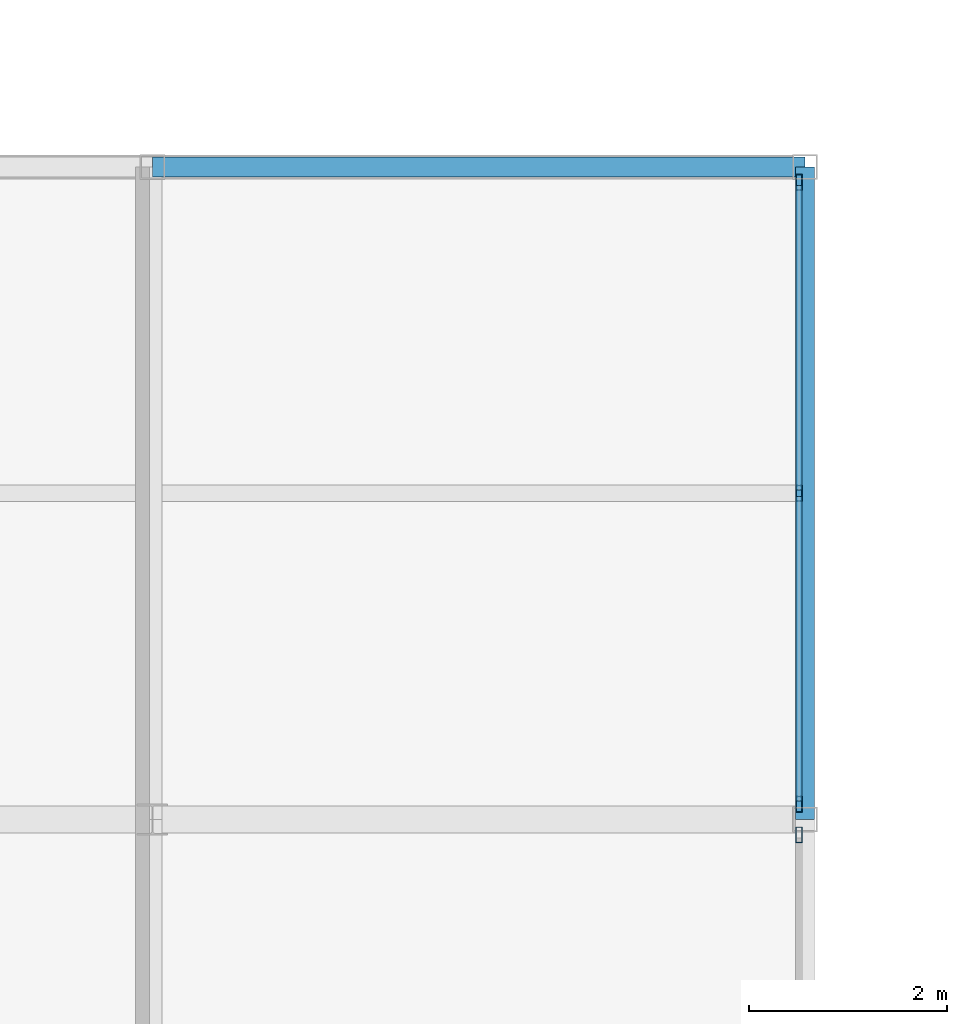
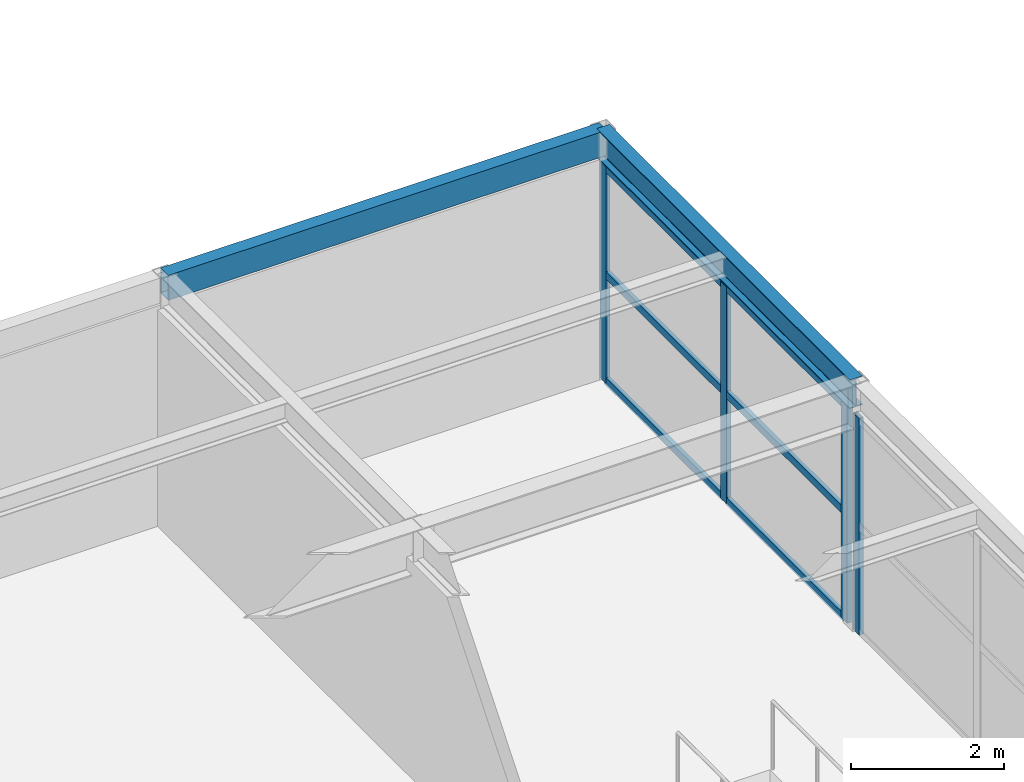
# One storey, part 82 of 157: 10 members, 2 beams, 2 elements without a shape of their own.
"""IFC4 building model written with IfcOpenShell, lengths in metres."""

from ifc_helpers import new_model, si_unit, direction, frame, origin, origin_2d, place, context, subcontext, project, spatial, hollow_rectangle, i_section, extrude, material, material_profile, profile_set, type_object, element, aggregate, save


model = new_model("IFC4")

# Units and contexts
model_context = context("Model", 3, precision=1e-05, world=origin(), true_north=direction((0.0, 1.0)))
body_context = subcontext(model_context, "Body", "Model", "MODEL_VIEW")
ifc_project = project(units=[si_unit("LENGTHUNIT", "METRE"), si_unit("AREAUNIT", "SQUARE_METRE"), si_unit("VOLUMEUNIT", "CUBIC_METRE"), si_unit("PLANEANGLEUNIT", "RADIAN"), si_unit("MASSUNIT", "GRAM", prefix="KILO")], contexts=[model_context])

# Site, building, storey
site_placement = place(None, origin())
site = spatial("IfcSite", under=ifc_project, at=site_placement, CompositionType="ELEMENT")
building_placement = place(site_placement, origin())
building = spatial("IfcBuilding", under=site, at=building_placement, Name="Karori Crest Natural Sciences Institute", CompositionType="ELEMENT")
storey_placement = place(building_placement, frame((0.0, 0.0, 13.300048828125)))
storey = spatial("IfcBuildingStorey", under=building, at=storey_placement, Name="L03", CompositionType="ELEMENT", Elevation=13.300048828125)

# Beams
ifc_material_1 = material(Name="Structural steel AS/NZS 3679.1 Grade 350", Category="steel")
ifc_material_profile_1 = material_profile(ifc_material_1, i_section(OverallWidth=0.19091796875, OverallDepth=0.4599609375, WebThickness=0.010009765625, FlangeThickness=0.01611328125, FilletRadius=0.010986328125, at=origin_2d()), Name="460UB82.1")
ifc_profile_set_1 = profile_set([ifc_material_profile_1], Name="Structural steel AS/NZS 3679.1 Grade 350")
beam_type_1 = type_object("IfcBeamType", Name="BT-06-EL", PredefinedType="BEAM", material=ifc_profile_set_1)
beam_1_placement = place(storey_placement, frame((27.199951171875, 66.800048828125, 3.68994140625), z_axis=(0.0, 1.0, 0.0), x_axis=(-1.0, 0.0, 0.0)))
element("IfcBeam", 1, at=beam_1_placement, inside=storey, type_object=beam_type_1, Name="Beam B-1188", PredefinedType="BEAM", context=body_context, shape_type="SweptSolid", body=[
    extrude(i_section(OverallWidth=0.19091796875, OverallDepth=0.4599609375, WebThickness=0.010009765625, FlangeThickness=0.01611328125, FilletRadius=0.010986328125, at=origin_2d()), origin(), (0.0, 0.0, 1.0), 6.599853515625),
])
ifc_material_2 = material(Name="Hollow structural steel AS/NZS 1163 Grade C350", Category="steel")
ifc_material_profile_2 = material_profile(ifc_material_2, hollow_rectangle(XDim=0.199951171875, YDim=0.39990234375, WallThickness=0.012451171875, at=origin_2d()), Name="RHS400x200x12.5")
ifc_profile_set_2 = profile_set([ifc_material_profile_2], Name="Hollow structural steel AS/NZS 1163 Grade C350")
beam_type_2 = type_object("IfcBeamType", Name="BT-14", PredefinedType="SPANDREL", material=ifc_profile_set_2)
beam_2_placement = place(storey_placement, frame((20.60009765625, 73.39990234375, 3.719970703125), z_axis=(1.0, 0.0, 0.0), x_axis=(0.0, 1.0, 0.0)))
element("IfcBeam", 2, at=beam_2_placement, inside=storey, type_object=beam_type_2, Name="Beam B-1160", PredefinedType="SPANDREL", context=body_context, shape_type="SweptSolid", body=[
    extrude(hollow_rectangle(XDim=0.199951171875, YDim=0.39990234375, WallThickness=0.012451171875, at=origin_2d()), origin(), (0.0, 0.0, 1.0), 6.599853515625),
])

# Curtain wall, member
ifc_material_3 = material(Name="Anodised architectural aluminium 6063-T6", Category="aluminium")
curtain_wall_type = type_object("IfcCurtainWallType", Name="CWT-18", PredefinedType="NOTDEFINED", material=ifc_material_3)
curtain_wall_1_placement = place(storey_placement, origin())
curtain_wall_1 = element("IfcCurtainWall", 3, at=curtain_wall_1_placement, inside=storey, type_object=curtain_wall_type, Name="Curtain wall CW-0284", PredefinedType="NOTDEFINED")
ifc_material_profile_3 = material_profile(ifc_material_3, hollow_rectangle(XDim=0.06494140625, YDim=0.159912109375, WallThickness=0.00390625, at=origin_2d()), Name="CWM160x65x4")
ifc_profile_set_3 = profile_set([ifc_material_profile_3], Name="Anodised architectural aluminium 6063-T6")
member_type_1 = type_object("IfcMemberType", Name="CWM-01", PredefinedType="MULLION", material=ifc_profile_set_3)
member_1_placement = place(storey_placement, frame((27.139892578125, 66.64453125, 0.0), z_axis=(0.0, 0.0, 1.0), x_axis=(1.0, 0.0, 0.0)))
member_1 = element("IfcMember", 4, at=member_1_placement, type_object=member_type_1, Name="CW-0284 mullion 1", PredefinedType="MULLION", context=body_context, shape_type="SweptSolid", body=[
    extrude(hollow_rectangle(XDim=0.06494140625, YDim=0.159912109375, WallThickness=0.00390625, at=origin_2d()), origin(), (0.0, 0.0, 1.0), 3.445068359375),
])
aggregate(curtain_wall_1, [member_1])

# Curtain wall, members
curtain_wall_2_placement = place(storey_placement, origin())
curtain_wall_2 = element("IfcCurtainWall", 5, at=curtain_wall_2_placement, inside=storey, type_object=curtain_wall_type, Name="Curtain wall CW-0285", PredefinedType="NOTDEFINED")
member_2_placement = place(storey_placement, frame((27.139892578125, 73.244384765625, 0.0), z_axis=(0.0, 0.0, 1.0), x_axis=(1.0, 0.0, 0.0)))
member_2 = element("IfcMember", 6, at=member_2_placement, type_object=member_type_1, Name="CW-0285 mullion 1", PredefinedType="MULLION", context=body_context, shape_type="SweptSolid", body=[
    extrude(hollow_rectangle(XDim=0.06494140625, YDim=0.159912109375, WallThickness=0.00390625, at=origin_2d()), origin(), (0.0, 0.0, 1.0), 3.445068359375),
])
member_3_placement = place(storey_placement, frame((27.139892578125, 70.10009765625, 0.0), z_axis=(0.0, 0.0, 1.0), x_axis=(1.0, 0.0, 0.0)))
member_3 = element("IfcMember", 7, at=member_3_placement, type_object=member_type_1, Name="CW-0285 mullion 2", PredefinedType="MULLION", context=body_context, shape_type="SweptSolid", body=[
    extrude(hollow_rectangle(XDim=0.06494140625, YDim=0.159912109375, WallThickness=0.00390625, at=origin_2d()), origin(), (0.0, 0.0, 1.0), 3.445068359375),
])
member_4_placement = place(storey_placement, frame((27.139892578125, 66.95556640625, 0.0), z_axis=(0.0, 0.0, 1.0), x_axis=(1.0, 0.0, 0.0)))
member_4 = element("IfcMember", 8, at=member_4_placement, type_object=member_type_1, Name="CW-0285 mullion 3", PredefinedType="MULLION", context=body_context, shape_type="SweptSolid", body=[
    extrude(hollow_rectangle(XDim=0.06494140625, YDim=0.159912109375, WallThickness=0.00390625, at=origin_2d()), origin(), (0.0, 0.0, 1.0), 3.445068359375),
])
ifc_material_profile_4 = material_profile(ifc_material_3, hollow_rectangle(XDim=0.06005859375, YDim=0.1201171875, WallThickness=0.00390625, at=origin_2d()), Name="CWT120x60x4")
ifc_profile_set_4 = profile_set([ifc_material_profile_4], Name="Anodised architectural aluminium 6063-T6")
member_type_2 = type_object("IfcMemberType", Name="CWT-TR1", PredefinedType="USERDEFINED", material=ifc_profile_set_4)
member_5_placement = place(storey_placement, frame((27.139892578125, 73.2119140625, 0.030029296875), z_axis=(0.0, -1.0, 0.0), x_axis=(1.0, 0.0, 0.0)))
member_5 = element("IfcMember", 9, at=member_5_placement, type_object=member_type_2, Name="CW-0285 transom 1.1", ObjectType="TRANSOM", PredefinedType="USERDEFINED", context=body_context, shape_type="SweptSolid", body=[
    extrude(hollow_rectangle(XDim=0.06005859375, YDim=0.1201171875, WallThickness=0.00390625, at=origin_2d()), origin(), (0.0, 0.0, 1.0), 3.079345703125),
])
member_6_placement = place(storey_placement, frame((27.139892578125, 73.2119140625, 1.722412109375), z_axis=(0.0, -1.0, 0.0), x_axis=(1.0, 0.0, 0.0)))
member_6 = element("IfcMember", 10, at=member_6_placement, type_object=member_type_2, Name="CW-0285 transom 1.2", ObjectType="TRANSOM", PredefinedType="USERDEFINED", context=body_context, shape_type="SweptSolid", body=[
    extrude(hollow_rectangle(XDim=0.06005859375, YDim=0.1201171875, WallThickness=0.00390625, at=origin_2d()), origin(), (0.0, 0.0, 1.0), 3.079345703125),
])
member_7_placement = place(storey_placement, frame((27.139892578125, 73.2119140625, 3.4150390625), z_axis=(0.0, -1.0, 0.0), x_axis=(1.0, 0.0, 0.0)))
member_7 = element("IfcMember", 11, at=member_7_placement, type_object=member_type_2, Name="CW-0285 transom 1.3", ObjectType="TRANSOM", PredefinedType="USERDEFINED", context=body_context, shape_type="SweptSolid", body=[
    extrude(hollow_rectangle(XDim=0.06005859375, YDim=0.1201171875, WallThickness=0.00390625, at=origin_2d()), origin(), (0.0, 0.0, 1.0), 3.079345703125),
])
member_8_placement = place(storey_placement, frame((27.139892578125, 70.0673828125, 0.030029296875), z_axis=(0.0, -1.0, 0.0), x_axis=(1.0, 0.0, 0.0)))
member_8 = element("IfcMember", 12, at=member_8_placement, type_object=member_type_2, Name="CW-0285 transom 2.1", ObjectType="TRANSOM", PredefinedType="USERDEFINED", context=body_context, shape_type="SweptSolid", body=[
    extrude(hollow_rectangle(XDim=0.06005859375, YDim=0.1201171875, WallThickness=0.00390625, at=origin_2d()), origin(), (0.0, 0.0, 1.0), 3.079345703125),
])
member_9_placement = place(storey_placement, frame((27.139892578125, 70.0673828125, 1.722412109375), z_axis=(0.0, -1.0, 0.0), x_axis=(1.0, 0.0, 0.0)))
member_9 = element("IfcMember", 13, at=member_9_placement, type_object=member_type_2, Name="CW-0285 transom 2.2", ObjectType="TRANSOM", PredefinedType="USERDEFINED", context=body_context, shape_type="SweptSolid", body=[
    extrude(hollow_rectangle(XDim=0.06005859375, YDim=0.1201171875, WallThickness=0.00390625, at=origin_2d()), origin(), (0.0, 0.0, 1.0), 3.079345703125),
])
member_10_placement = place(storey_placement, frame((27.139892578125, 70.0673828125, 3.4150390625), z_axis=(0.0, -1.0, 0.0), x_axis=(1.0, 0.0, 0.0)))
member_10 = element("IfcMember", 14, at=member_10_placement, type_object=member_type_2, Name="CW-0285 transom 2.3", ObjectType="TRANSOM", PredefinedType="USERDEFINED", context=body_context, shape_type="SweptSolid", body=[
    extrude(hollow_rectangle(XDim=0.06005859375, YDim=0.1201171875, WallThickness=0.00390625, at=origin_2d()), origin(), (0.0, 0.0, 1.0), 3.079345703125),
])
aggregate(curtain_wall_2, [member_2, member_3, member_4, member_5, member_6, member_7, member_8, member_9, member_10])

save(model, "model.ifc")
